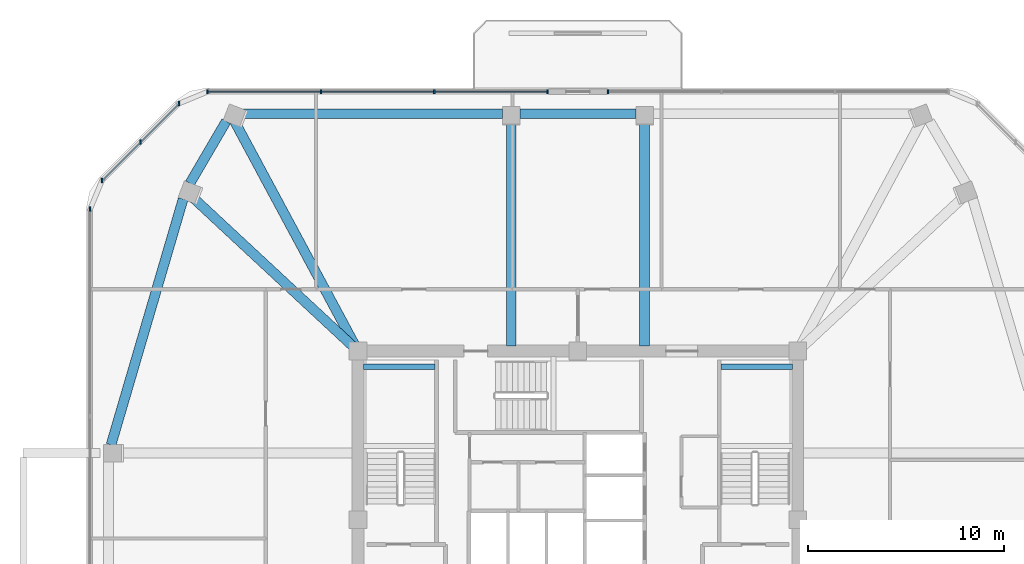
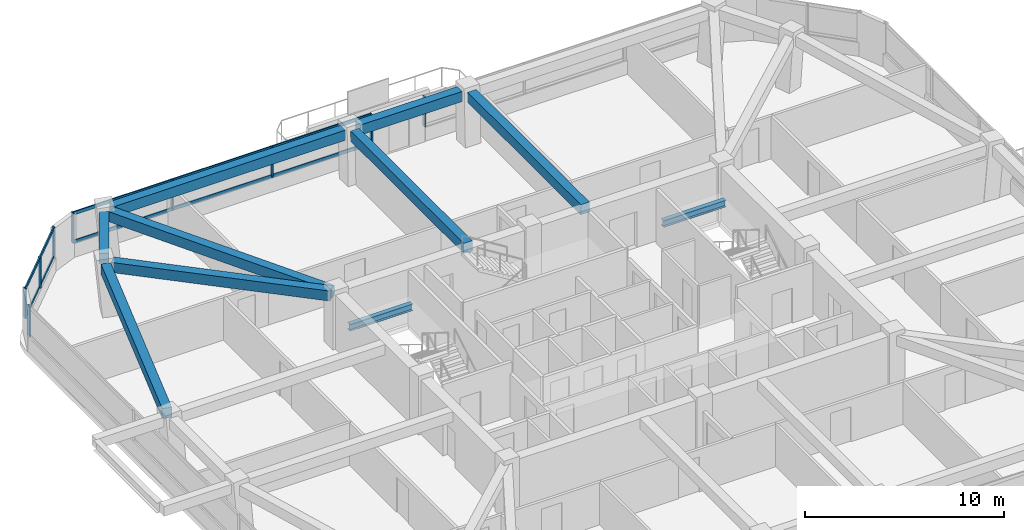
# One storey, part 6 of 13: 13 members, 10 beams, 4 elements without a shape of their own.
"""IFC4 building model written with IfcOpenShell, lengths in metres."""

import ifcopenshell
import ifcopenshell.guid

model = None  # the IFC model being written
_history = None  # IfcOwnerHistory: only IFC2X3 demands one
_inside = {}  # id of a spatial element -> (the spatial element, [elements in it])
_under = {}  # id of a project, library or spatial element -> (it, [spatial elements below it])
_declared = {}  # id of a project -> (the project, [libraries it declares])
_typed = {}  # id of a type object -> (the type object, [elements of that type])
_made_of = {}  # id of a material, layer set ... -> (it, [elements and type objects made of it])


def new_model(schema):
    """Start an empty IFC model of exactly this schema.

    Asked for "IFC4X3", IfcOpenShell would pick the latest addendum, in which some entities
    have other attributes; the version numbers below select the first issue.
    IFC2X3 requires an IfcOwnerHistory on every rooted entity: one is made here for all.
    """
    global model, _history
    if schema == "IFC4X3":
        model = ifcopenshell.file(schema_version=(4, 3, 0, 0))
    else:
        model = ifcopenshell.file(schema=schema)
    _inside.clear()
    _under.clear()
    _declared.clear()
    _typed.clear()
    _made_of.clear()
    _history = None
    if model.schema == "IFC2X3":
        org = make("IfcOrganization", Name="unknown")
        user = make(
            "IfcPersonAndOrganization",
            ThePerson=make("IfcPerson", FamilyName="unknown"),
            TheOrganization=org,
        )
        app = make(
            "IfcApplication",
            ApplicationDeveloper=org,
            Version="unknown",
            ApplicationFullName="unknown",
            ApplicationIdentifier="unknown",
        )
        _history = make(
            "IfcOwnerHistory",
            OwningUser=user,
            OwningApplication=app,
            ChangeAction="ADDED",
            CreationDate=0,
        )
    return model


def make(cls, **values):
    """One entity of the class cls with the attributes given. An attribute that is None is left unset."""
    return model.create_entity(
        cls, **{name: value for name, value in values.items() if value is not None}
    )


def rooted(cls, **values):
    """An entity with a GlobalId (a new one), such as an element, a storey or a relation."""
    return make(cls, GlobalId=ifcopenshell.guid.new(), OwnerHistory=_history, **values)


def si_unit(unit_type, name, prefix=None):
    """IfcSIUnit, for example si_unit("LENGTHUNIT", "METRE", prefix="MILLI")."""
    return make("IfcSIUnit", UnitType=unit_type, Prefix=prefix, Name=name)


def derived_unit(unit_type, elements):
    """IfcDerivedUnit: a product of units, each with its exponent."""
    return make(
        "IfcDerivedUnit",
        Elements=[
            make("IfcDerivedUnitElement", Unit=unit, Exponent=power)
            for unit, power in elements
        ],
        UnitType=unit_type,
    )


def assignment(units):
    """IfcUnitAssignment: the units of a project."""
    return None if units is None else make("IfcUnitAssignment", Units=units)


def point(xyz):
    """IfcCartesianPoint."""
    return None if xyz is None else make("IfcCartesianPoint", Coordinates=xyz)


def direction(xyz):
    """IfcDirection."""
    return None if xyz is None else make("IfcDirection", DirectionRatios=xyz)


def frame(location, z_axis=None, x_axis=None):
    """IfcAxis2Placement3D, a coordinate frame: its origin and axes. An axis left out is left unset."""
    return make(
        "IfcAxis2Placement3D",
        Location=point(location),
        Axis=direction(z_axis),
        RefDirection=direction(x_axis),
    )


def frame_2d(location, x_axis=None):
    """IfcAxis2Placement2D, a coordinate frame in the plane: its origin and x axis."""
    return make(
        "IfcAxis2Placement2D", Location=point(location), RefDirection=direction(x_axis)
    )


def origin():
    """The frame at (0, 0, 0) with its axes left unset."""
    return frame((0.0, 0.0, 0.0))


def origin_2d():
    """The frame at (0, 0) in the plane with its x axis left unset."""
    return frame_2d((0.0, 0.0))


def place(relative_to, where):
    """IfcLocalPlacement: puts the frame where relative to a parent placement (None: the world)."""
    return make(
        "IfcLocalPlacement", PlacementRelTo=relative_to, RelativePlacement=where
    )


def context(
    kind, dimensions, precision=None, world=None, true_north=None, identifier=None
):
    """IfcGeometricRepresentationContext, for example the 3D "Model" context."""
    return make(
        "IfcGeometricRepresentationContext",
        ContextIdentifier=identifier,
        ContextType=kind,
        CoordinateSpaceDimension=dimensions,
        Precision=precision,
        WorldCoordinateSystem=world,
        TrueNorth=true_north,
    )


def subcontext(parent, identifier, kind, view, scale=None):
    """IfcGeometricRepresentationSubContext, for example "Body" below "Model"."""
    return make(
        "IfcGeometricRepresentationSubContext",
        ContextIdentifier=identifier,
        ContextType=kind,
        ParentContext=parent,
        TargetScale=scale,
        TargetView=view,
    )


def project(units=None, contexts=None):
    """IfcProject with its units and contexts."""
    return rooted(
        "IfcProject",
        Name="project",
        RepresentationContexts=contexts,
        UnitsInContext=assignment(units),
    )


def spatial(cls, under=None, at=None, **own):
    """A site, building, storey or space (cls), placed at a placement, below another one or the project."""
    s = rooted(cls, ObjectPlacement=at, **own)
    if under is not None:
        _under.setdefault(under.id(), (under, []))[1].append(s)
    return s


def profile(cls, at=None, kind="AREA", **sizes):
    """A parametric profile (cls). Its sizes go by their IFC names, for example OverallWidth=200.0."""
    return make(cls, ProfileType=kind, Position=at, **sizes)


def rectangle(**sizes):
    """IfcRectangleProfileDef."""
    return profile("IfcRectangleProfileDef", **sizes)


def i_section(**sizes):
    """IfcIShapeProfileDef."""
    return profile("IfcIShapeProfileDef", **sizes)


def extrude(swept, where, along, depth):
    """IfcExtrudedAreaSolid: the profile swept, set in the frame where, extruded along a direction by depth."""
    return make(
        "IfcExtrudedAreaSolid",
        SweptArea=swept,
        Position=where,
        ExtrudedDirection=direction(along),
        Depth=depth,
    )


def shape(context_of_items, identifier, shape_type, items):
    """IfcShapeRepresentation: the items that make up one representation, for example the "Body"."""
    return make(
        "IfcShapeRepresentation",
        ContextOfItems=context_of_items,
        RepresentationIdentifier=identifier,
        RepresentationType=shape_type,
        Items=items,
    )


def material(Name=None, Category=None):
    """IfcMaterial."""
    return make("IfcMaterial", Name=Name, Category=Category)


def material_profile(
    of_material, cross_section, Name=None, Category=None, Priority=None
):
    """IfcMaterialProfile: a cross section and its material."""
    return make(
        "IfcMaterialProfile",
        Name=Name,
        Material=of_material,
        Profile=cross_section,
        Priority=Priority,
        Category=Category,
    )


def profile_set(profiles, Name=None, composite=None):
    """IfcMaterialProfileSet."""
    return make(
        "IfcMaterialProfileSet",
        Name=Name,
        MaterialProfiles=profiles,
        CompositeProfile=composite,
    )


def made_of(thing, what):
    """Note that an element or type object is made of a material, layer set ...; save() writes the relation."""
    if what is not None:
        _made_of.setdefault(what.id(), (what, []))[1].append(thing)
    return thing


def type_object(cls, material=None, **own):
    """A type object (cls), such as IfcWallType, which elements share."""
    return made_of(rooted(cls, **own), material)


def element(
    cls,
    number,
    at=None,
    inside=None,
    cuts=None,
    type_object=None,
    material=None,
    context=None,
    identifier="Body",
    shape_type=None,
    held_by="IfcProductDefinitionShape",
    body=None,
    shapes=None,
    **own,
):
    """One element of the class cls, such as IfcWall. Its Tag is "e" and its number.

    at: its placement. inside: the storey or other place that contains it. cuts: it is an
    opening in that element (IfcRelVoidsElement). A single representation is given by context,
    identifier, shape_type and body (its items); several are given by shapes. held_by: the class
    of the entity that holds the representations. save() writes the other relations.
    """
    e = rooted(cls, Tag="e%d" % number, ObjectPlacement=at, **own)
    if body is not None:
        shapes = [shape(context, identifier, shape_type, body)]
    if shapes is not None:
        e.Representation = make(held_by, Representations=shapes)
    if inside is not None:
        _inside.setdefault(inside.id(), (inside, []))[1].append(e)
    if cuts is not None:
        rooted(
            "IfcRelVoidsElement", RelatingBuildingElement=cuts, RelatedOpeningElement=e
        )
    if type_object is not None:
        _typed.setdefault(type_object.id(), (type_object, []))[1].append(e)
    return made_of(e, material)


def aggregate(whole, parts):
    """IfcRelAggregates: a whole, such as a stair, and the parts it consists of."""
    return rooted("IfcRelAggregates", RelatingObject=whole, RelatedObjects=parts)


def save(model, path):
    """Write the relations noted so far, then the file.

    IfcRelAggregates (storeys below a building ...), IfcRelContainedInSpatialStructure (elements
    in a storey), IfcRelDefinesByType, IfcRelAssociatesMaterial and IfcRelDeclares: one each for
    every whole, place, type object, material and project.
    """
    for whole, parts in _under.values():
        aggregate(whole, parts)
    for where, things in _inside.values():
        rooted(
            "IfcRelContainedInSpatialStructure",
            RelatedElements=things,
            RelatingStructure=where,
        )
    for kind, things in _typed.values():
        rooted("IfcRelDefinesByType", RelatedObjects=things, RelatingType=kind)
    for what, things in _made_of.values():
        rooted("IfcRelAssociatesMaterial", RelatedObjects=things, RelatingMaterial=what)
    for by, libraries in _declared.values():
        rooted("IfcRelDeclares", RelatingContext=by, RelatedDefinitions=libraries)
    model.write(path)


model = new_model("IFC4")

# Units and contexts
model_context = context("Model", 3, precision=1e-05, world=origin(), true_north=direction((0.0, 1.0)))
body_context = subcontext(model_context, "Body", "Model", "MODEL_VIEW")
ifc_project = project(units=[si_unit("LENGTHUNIT", "METRE"), si_unit("AREAUNIT", "SQUARE_METRE"), si_unit("VOLUMEUNIT", "CUBIC_METRE"), si_unit("PLANEANGLEUNIT", "RADIAN"), si_unit("MASSUNIT", "GRAM", prefix="KILO"), derived_unit("THERMALTRANSMITTANCEUNIT", [(si_unit("POWERUNIT", "WATT"), 1), (si_unit("LENGTHUNIT", "METRE"), -2), (si_unit("THERMODYNAMICTEMPERATUREUNIT", "KELVIN"), -1)])], contexts=[model_context])

# Site, building, storey
site_placement = place(None, origin())
site = spatial("IfcSite", under=ifc_project, at=site_placement, CompositionType="ELEMENT")
building_placement = place(site_placement, origin())
building = spatial("IfcBuilding", under=site, at=building_placement, Name="Koralith Skygarden Medical Center", CompositionType="ELEMENT")
storey_placement = place(building_placement, frame((0.0, 0.0, 196.3798828125)))
storey = spatial("IfcBuildingStorey", under=building, at=storey_placement, Name="L50", CompositionType="ELEMENT", Elevation=196.3798828125)

# Curtain wall, member
ifc_material_1 = material(Name="Clear Laminated Glass", Category="glass")
curtain_wall_type = type_object("IfcCurtainWallType", Name="CW-5 Zone 4 Flare Biophilic Curtain Wall", PredefinedType="NOTDEFINED", material=ifc_material_1)
curtain_wall_1_placement = place(storey_placement, origin())
curtain_wall_1 = element("IfcCurtainWall", 1, at=curtain_wall_1_placement, inside=storey, type_object=curtain_wall_type, Name="Curtain Wall CW-L50-N-L", PredefinedType="NOTDEFINED")
ifc_material_2 = material(Name="Aluminium 6063-T6", Category="aluminium")
ifc_material_profile_1 = material_profile(ifc_material_2, rectangle(XDim=0.080078125, YDim=0.219970703125, at=origin_2d()), Name="MUL80X220")
ifc_profile_set_1 = profile_set([ifc_material_profile_1], Name="Aluminium 6063-T6")
member_type_1 = type_object("IfcMemberType", Name="CW-5 Extruded Mullion 80x220", PredefinedType="MULLION", material=ifc_profile_set_1)
member_1_placement = place(storey_placement, frame((38.5400390625, 47.7099609375, 0.85009765625), z_axis=(0.0, 0.0, 1.0), x_axis=(1.0, 0.0, 0.0)))
member_1 = element("IfcMember", 2, at=member_1_placement, type_object=member_type_1, Name="CW-L50-N-L Mullion 4", PredefinedType="MULLION", context=body_context, shape_type="SweptSolid", body=[
    extrude(rectangle(XDim=0.080078125, YDim=0.219970703125, at=origin_2d()), origin(), (0.0, 0.0, 1.0), 1.840087890625),
])
aggregate(curtain_wall_1, [member_1])

# Curtain wall, members
curtain_wall_2_placement = place(storey_placement, origin())
curtain_wall_2 = element("IfcCurtainWall", 3, at=curtain_wall_2_placement, inside=storey, type_object=curtain_wall_type, Name="Curtain Wall CW-L50-N-R", PredefinedType="NOTDEFINED")
member_2_placement = place(storey_placement, frame((35.4599609375, 47.7099609375, 0.85009765625), z_axis=(0.0, 0.0, 1.0), x_axis=(1.0, 0.0, 0.0)))
member_2 = element("IfcMember", 4, at=member_2_placement, type_object=member_type_1, Name="CW-L50-N-R Mullion 1", PredefinedType="MULLION", context=body_context, shape_type="SweptSolid", body=[
    extrude(rectangle(XDim=0.080078125, YDim=0.219970703125, at=origin_2d()), origin(), (0.0, 0.0, 1.0), 1.840087890625),
])
member_3_placement = place(storey_placement, frame((29.68310546875, 47.7099609375, 0.85009765625), z_axis=(0.0, 0.0, 1.0), x_axis=(1.0, 0.0, 0.0)))
member_3 = element("IfcMember", 5, at=member_3_placement, type_object=member_type_1, Name="CW-L50-N-R Mullion 2", PredefinedType="MULLION", context=body_context, shape_type="SweptSolid", body=[
    extrude(rectangle(XDim=0.080078125, YDim=0.219970703125, at=origin_2d()), origin(), (0.0, 0.0, 1.0), 1.840087890625),
])
member_4_placement = place(storey_placement, frame((23.906982421875, 47.7099609375, 0.85009765625), z_axis=(0.0, 0.0, 1.0), x_axis=(1.0, 0.0, 0.0)))
member_4 = element("IfcMember", 6, at=member_4_placement, type_object=member_type_1, Name="CW-L50-N-R Mullion 3", PredefinedType="MULLION", context=body_context, shape_type="SweptSolid", body=[
    extrude(rectangle(XDim=0.080078125, YDim=0.219970703125, at=origin_2d()), origin(), (0.0, 0.0, 1.0), 1.840087890625),
])
member_5_placement = place(storey_placement, frame((18.1298828125, 47.7099609375, 0.85009765625), z_axis=(0.0, 0.0, 1.0), x_axis=(1.0, 0.0, 0.0)))
member_5 = element("IfcMember", 7, at=member_5_placement, type_object=member_type_1, Name="CW-L50-N-R Mullion 4", PredefinedType="MULLION", context=body_context, shape_type="SweptSolid", body=[
    extrude(rectangle(XDim=0.080078125, YDim=0.219970703125, at=origin_2d()), origin(), (0.0, 0.0, 1.0), 1.840087890625),
])

curtain_wall_3_placement = place(storey_placement, origin())
curtain_wall_3 = element("IfcCurtainWall", 8, at=curtain_wall_3_placement, inside=storey, type_object=curtain_wall_type, Name="Curtain Wall CW-L50-NW", PredefinedType="NOTDEFINED")
member_6_placement = place(storey_placement, frame((16.678955078125, 47.10888671875, 0.85009765625), z_axis=(0.0, 0.0, 1.0), x_axis=(1.0, 0.0, 0.0)))
member_6 = element("IfcMember", 9, at=member_6_placement, type_object=member_type_1, Name="CW-L50-NW Mullion 1", PredefinedType="MULLION", context=body_context, shape_type="SweptSolid", body=[
    extrude(rectangle(XDim=0.080078125, YDim=0.219970703125, at=origin_2d()), origin(), (0.0, 0.0, 1.0), 1.840087890625),
])
member_7_placement = place(storey_placement, frame((14.717041015625, 45.14794921875, 0.85009765625), z_axis=(0.0, 0.0, 1.0), x_axis=(1.0, 0.0, 0.0)))
member_7 = element("IfcMember", 10, at=member_7_placement, type_object=member_type_1, Name="CW-L50-NW Mullion 2", PredefinedType="MULLION", context=body_context, shape_type="SweptSolid", body=[
    extrude(rectangle(XDim=0.080078125, YDim=0.219970703125, at=origin_2d()), origin(), (0.0, 0.0, 1.0), 1.840087890625),
])
member_8_placement = place(storey_placement, frame((12.756103515625, 43.18603515625, 0.85009765625), z_axis=(0.0, 0.0, 1.0), x_axis=(1.0, 0.0, 0.0)))
member_8 = element("IfcMember", 11, at=member_8_placement, type_object=member_type_1, Name="CW-L50-NW Mullion 3", PredefinedType="MULLION", context=body_context, shape_type="SweptSolid", body=[
    extrude(rectangle(XDim=0.080078125, YDim=0.219970703125, at=origin_2d()), origin(), (0.0, 0.0, 1.0), 1.840087890625),
])

# Curtain wall, member
curtain_wall_4_placement = place(storey_placement, origin())
curtain_wall_4 = element("IfcCurtainWall", 12, at=curtain_wall_4_placement, inside=storey, type_object=curtain_wall_type, Name="Curtain Wall CW-L50-W", PredefinedType="NOTDEFINED")
member_9_placement = place(storey_placement, frame((12.154052734375, 41.735107421875, 0.85009765625), z_axis=(0.0, 0.0, 1.0), x_axis=(1.0, 0.0, 0.0)))
member_9 = element("IfcMember", 13, at=member_9_placement, type_object=member_type_1, Name="CW-L50-W Mullion 1", PredefinedType="MULLION", context=body_context, shape_type="SweptSolid", body=[
    extrude(rectangle(XDim=0.080078125, YDim=0.219970703125, at=origin_2d()), origin(), (0.0, 0.0, 1.0), 1.840087890625),
])
aggregate(curtain_wall_4, [member_9])

# Member
ifc_material_profile_2 = material_profile(ifc_material_2, rectangle(XDim=0.074951171875, YDim=0.197998046875, at=origin_2d()), Name="TRN75X198")
ifc_profile_set_2 = profile_set([ifc_material_profile_2], Name="Aluminium 6063-T6")
member_type_2 = type_object("IfcMemberType", Name="CW-5 Thermal Transom 75x198", PredefinedType="USERDEFINED", material=ifc_profile_set_2)
member_10_placement = place(storey_placement, frame((35.4599609375, 47.7099609375, 0.900146484375), z_axis=(-1.0, 0.0, 0.0), x_axis=(0.0, -1.0, 0.0)))
member_10 = element("IfcMember", 14, at=member_10_placement, type_object=member_type_2, Name="CW-L50-N-R Transom 1", ObjectType="TRANSOM", PredefinedType="USERDEFINED", context=body_context, shape_type="SweptSolid", body=[
    extrude(rectangle(XDim=0.074951171875, YDim=0.197998046875, at=origin_2d()), origin(), (0.0, 0.0, 1.0), 17.330078125),
])

member_11_placement = place(storey_placement, frame((35.4599609375, 47.7099609375, 2.64013671875), z_axis=(-1.0, 0.0, 0.0), x_axis=(0.0, -1.0, 0.0)))
member_11 = element("IfcMember", 15, at=member_11_placement, type_object=member_type_2, Name="CW-L50-N-R Transom 2", ObjectType="TRANSOM", PredefinedType="USERDEFINED", context=body_context, shape_type="SweptSolid", body=[
    extrude(rectangle(XDim=0.074951171875, YDim=0.197998046875, at=origin_2d()), origin(), (0.0, 0.0, 1.0), 17.330078125),
])

aggregate(curtain_wall_2, [member_2, member_3, member_4, member_5, member_10, member_11])

member_12_placement = place(storey_placement, frame((16.678955078125, 47.10888671875, 0.900146484375), z_axis=(-0.707106781187, -0.707106781187, 0.0), x_axis=(0.707106781187, -0.707106781187, 0.0)))
member_12 = element("IfcMember", 16, at=member_12_placement, type_object=member_type_2, Name="CW-L50-NW Transom 1", ObjectType="TRANSOM", PredefinedType="USERDEFINED", context=body_context, shape_type="SweptSolid", body=[
    extrude(rectangle(XDim=0.074951171875, YDim=0.197998046875, at=origin_2d()), origin(), (0.0, 0.0, 1.0), 5.5478515625),
])

member_13_placement = place(storey_placement, frame((16.678955078125, 47.10888671875, 2.64013671875), z_axis=(-0.707106781187, -0.707106781187, 0.0), x_axis=(0.707106781187, -0.707106781187, 0.0)))
member_13 = element("IfcMember", 17, at=member_13_placement, type_object=member_type_2, Name="CW-L50-NW Transom 2", ObjectType="TRANSOM", PredefinedType="USERDEFINED", context=body_context, shape_type="SweptSolid", body=[
    extrude(rectangle(XDim=0.074951171875, YDim=0.197998046875, at=origin_2d()), origin(), (0.0, 0.0, 1.0), 5.5478515625),
])

aggregate(curtain_wall_3, [member_6, member_7, member_8, member_12, member_13])

# Beams
ifc_material_3 = material(Name="Steel ASTM A992 Grade 50", Category="steel")
ifc_material_profile_3 = material_profile(ifc_material_3, i_section(OverallWidth=0.260009765625, OverallDepth=0.4150390625, WebThickness=0.010009765625, FlangeThickness=0.016845703125, at=origin_2d()), Name="W16X67")
ifc_profile_set_3 = profile_set([ifc_material_profile_3], Name="Steel ASTM A992 Grade 50")
beam_type_1 = type_object("IfcBeamType", Name="Clinical Floor Joist W16X67", PredefinedType="JOIST", material=ifc_profile_set_3)
for number, where, z_axis, x_axis, name in (
    (18, (26.080078125, 33.699951171875, 1.39306640625), (1.0, 0.0, 0.0), (0.0, 1.0, 0.0), "L50 Stair ST1 Half-Landing Support Beam 1B"),
    (19, (44.280029296875, 33.699951171875, 1.39306640625), (1.0, 0.0, 0.0), (0.0, 1.0, 0.0), "L50 Stair ST2 Half-Landing Support Beam 1B"),
):
    element("IfcBeam", number, at=place(storey_placement, frame(where, z_axis=z_axis, x_axis=x_axis)), inside=storey, type_object=beam_type_1, Name=name, PredefinedType="JOIST", context=body_context, shape_type="SweptSolid", body=[
        extrude(i_section(OverallWidth=0.260009765625, OverallDepth=0.4150390625, WebThickness=0.010009765625, FlangeThickness=0.016845703125, at=origin_2d()), origin(), (0.0, 0.0, 1.0), 3.639892578125),
    ])
ifc_material_4 = material(Name="Concrete C45/55", Category="concrete")
ifc_material_profile_4 = material_profile(ifc_material_4, rectangle(XDim=0.5, YDim=0.6201171875, at=origin_2d()), Name="RCB500X620")
ifc_profile_set_4 = profile_set([ifc_material_profile_4], Name="Concrete C45/55")
beam_type_2 = type_object("IfcBeamType", Name="Upper Radial Collector Beam RCB500X620", PredefinedType="BEAM", material=ifc_profile_set_4)
for number, where, z_axis, x_axis, name in (
    (20, (40.39990234375, 34.75, 3.010009765625), (0.0, 1.0, 0.0), (-1.0, 0.0, 0.0), "L50 Radial Collector Beam RB-12"),
    (21, (33.60009765625, 34.75, 3.010009765625), (0.0, 1.0, 0.0), (-1.0, 0.0, 0.0), "L50 Radial Collector Beam RB-13"),
):
    element("IfcBeam", number, at=place(storey_placement, frame(where, z_axis=z_axis, x_axis=x_axis)), inside=storey, type_object=beam_type_2, Name=name, PredefinedType="BEAM", context=body_context, shape_type="SweptSolid", body=[
        extrude(rectangle(XDim=0.5, YDim=0.6201171875, at=origin_2d()), origin(), (0.0, 0.0, 1.0), 11.39599609375),
    ])
beam_1_placement = place(storey_placement, frame((25.681884765625, 34.719970703125, 3.010009765625), z_axis=(-0.47347182097, 0.880808966092, 0.0), x_axis=(-0.880808966092, -0.47347182097, 0.0)))
element("IfcBeam", 22, at=beam_1_placement, inside=storey, type_object=beam_type_2, Name="L50 Radial Collector Beam RB-14", PredefinedType="BEAM", context=body_context, shape_type="SweptSolid", body=[
    extrude(rectangle(XDim=0.5, YDim=0.6201171875, at=origin_2d()), origin(), (0.0, 0.0, 1.0), 13.03125),
])
beam_2_placement = place(storey_placement, frame((25.616943359375, 34.669921875, 3.010009765625), z_axis=(-0.732585040624, 0.680675516126, 0.0), x_axis=(-0.680675516126, -0.732585040624, 0.0)))
element("IfcBeam", 23, at=beam_2_placement, inside=storey, type_object=beam_type_2, Name="L50 Radial Collector Beam RB-15", PredefinedType="BEAM", context=body_context, shape_type="SweptSolid", body=[
    extrude(rectangle(XDim=0.5, YDim=0.6201171875, at=origin_2d()), origin(), (0.0, 0.0, 1.0), 11.306396484375),
])
ifc_material_profile_5 = material_profile(ifc_material_4, rectangle(XDim=0.5, YDim=0.6201171875, at=origin_2d()), Name="RCB500X620")
ifc_profile_set_5 = profile_set([ifc_material_profile_5], Name="Concrete C45/55")
beam_type_3 = type_object("IfcBeamType", Name="Zone 4-5 Spandrel Beam RCB500X620", PredefinedType="SPANDREL", material=ifc_profile_set_5)
beam_3_placement = place(storey_placement, frame((39.9599609375, 46.5859375, 3.010009765625), z_axis=(-1.0, 0.0, 0.0), x_axis=(0.0, -1.0, 0.0)))
element("IfcBeam", 24, at=beam_3_placement, inside=storey, type_object=beam_type_3, Name="L50 Perimeter Spandrel Beam SP-12", PredefinedType="SPANDREL", context=body_context, shape_type="SweptSolid", body=[
    extrude(rectangle(XDim=0.5, YDim=0.6201171875, at=origin_2d()), origin(), (0.0, 0.0, 1.0), 5.919921875),
])
beam_4_placement = place(storey_placement, frame((33.159912109375, 46.5859375, 3.010009765625), z_axis=(-1.0, 0.0, 0.0), x_axis=(0.0, -1.0, 0.0)))
element("IfcBeam", 25, at=beam_4_placement, inside=storey, type_object=beam_type_3, Name="L50 Perimeter Spandrel Beam SP-13", PredefinedType="SPANDREL", context=body_context, shape_type="SweptSolid", body=[
    extrude(rectangle(XDim=0.5, YDim=0.6201171875, at=origin_2d()), origin(), (0.0, 0.0, 1.0), 13.416015625),
])
beam_5_placement = place(storey_placement, frame((19.08203125, 46.2060546875, 3.010009765625), z_axis=(-0.504832687441, -0.863217213505, 0.0), x_axis=(0.863217213505, -0.504832687441, 0.0)))
element("IfcBeam", 26, at=beam_5_placement, inside=storey, type_object=beam_type_3, Name="L50 Perimeter Spandrel Beam SP-14", PredefinedType="SPANDREL", context=body_context, shape_type="SweptSolid", body=[
    extrude(rectangle(XDim=0.5, YDim=0.6201171875, at=origin_2d()), origin(), (0.0, 0.0, 1.0), 3.660888671875),
])
beam_6_placement = place(storey_placement, frame((16.887939453125, 42.243896484375, 3.010009765625), z_axis=(-0.281386283755, -0.959594580703, 0.0), x_axis=(0.959594580703, -0.281386283755, 0.0)))
element("IfcBeam", 27, at=beam_6_placement, inside=storey, type_object=beam_type_3, Name="L50 Perimeter Spandrel Beam SP-15", PredefinedType="SPANDREL", context=body_context, shape_type="SweptSolid", body=[
    extrude(rectangle(XDim=0.5, YDim=0.6201171875, at=origin_2d()), origin(), (0.0, 0.0, 1.0), 13.04931640625),
])

save(model, "model.ifc")
